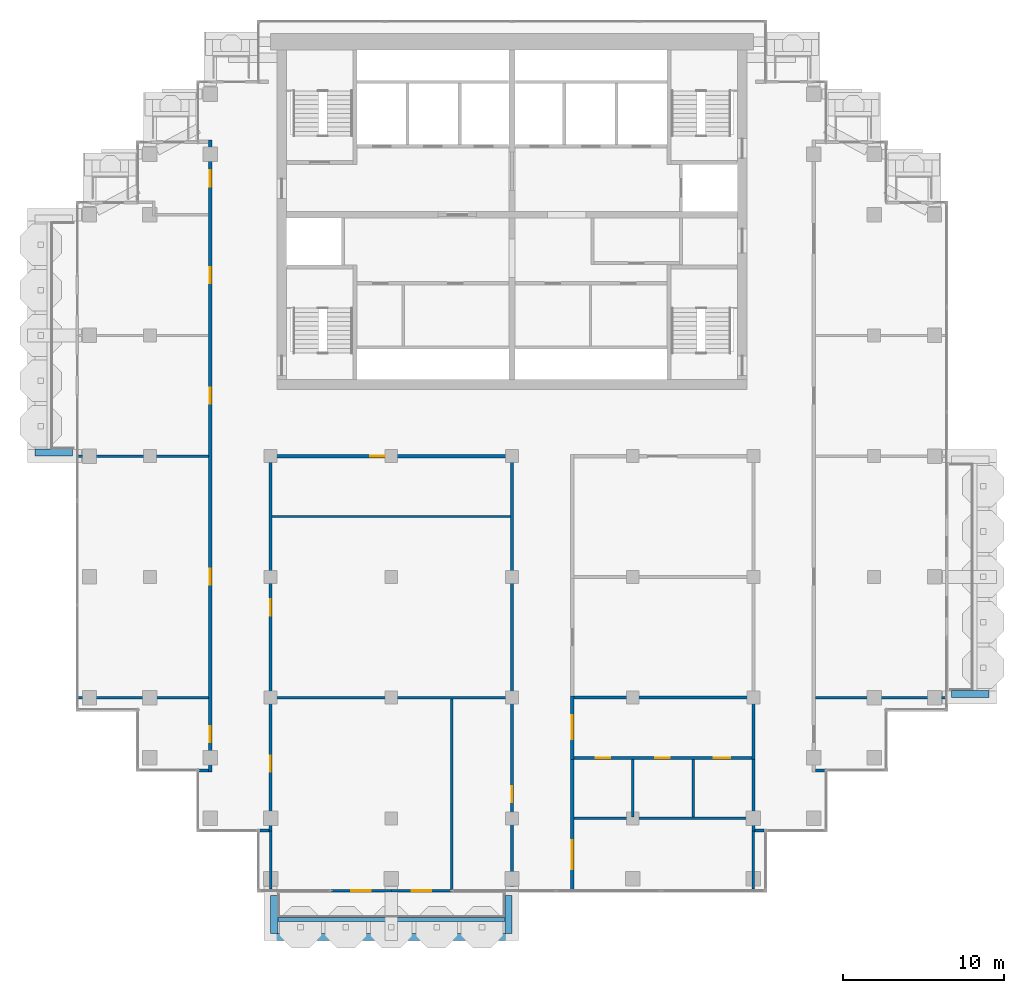
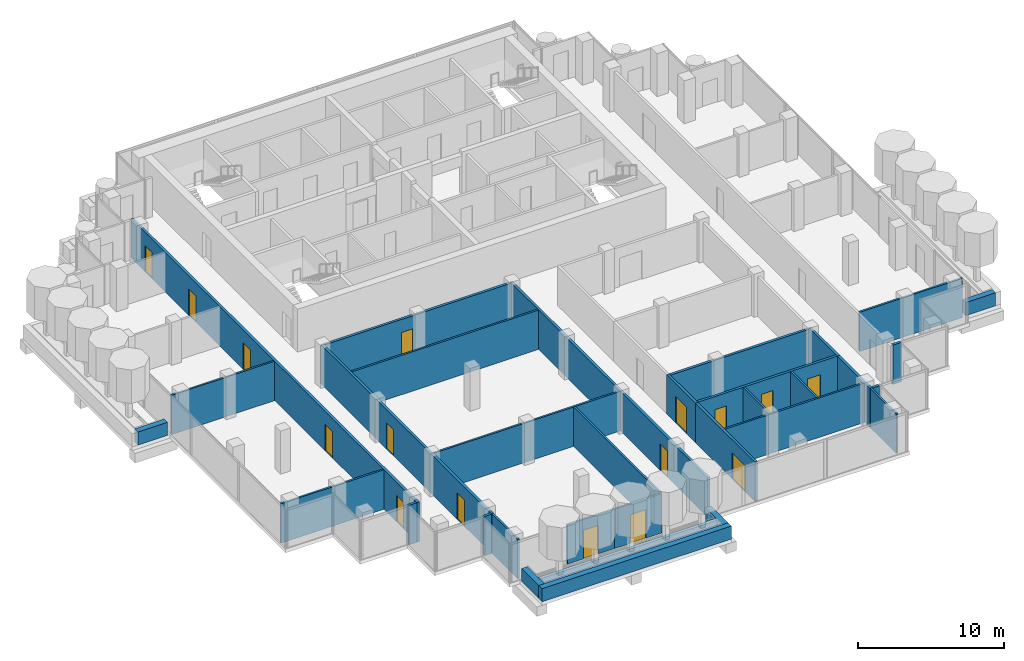
# One storey, part 11 of 18: 33 walls, 16 doors, 16 openings.
"""IFC4 building model written with IfcOpenShell, lengths in metres."""

import ifcopenshell
import ifcopenshell.guid

model = None  # the IFC model being written
_history = None  # IfcOwnerHistory: only IFC2X3 demands one
_inside = {}  # id of a spatial element -> (the spatial element, [elements in it])
_under = {}  # id of a project, library or spatial element -> (it, [spatial elements below it])
_declared = {}  # id of a project -> (the project, [libraries it declares])
_typed = {}  # id of a type object -> (the type object, [elements of that type])
_made_of = {}  # id of a material, layer set ... -> (it, [elements and type objects made of it])


def new_model(schema):
    """Start an empty IFC model of exactly this schema.

    Asked for "IFC4X3", IfcOpenShell would pick the latest addendum, in which some entities
    have other attributes; the version numbers below select the first issue.
    IFC2X3 requires an IfcOwnerHistory on every rooted entity: one is made here for all.
    """
    global model, _history
    if schema == "IFC4X3":
        model = ifcopenshell.file(schema_version=(4, 3, 0, 0))
    else:
        model = ifcopenshell.file(schema=schema)
    _inside.clear()
    _under.clear()
    _declared.clear()
    _typed.clear()
    _made_of.clear()
    _history = None
    if model.schema == "IFC2X3":
        org = make("IfcOrganization", Name="unknown")
        user = make(
            "IfcPersonAndOrganization",
            ThePerson=make("IfcPerson", FamilyName="unknown"),
            TheOrganization=org,
        )
        app = make(
            "IfcApplication",
            ApplicationDeveloper=org,
            Version="unknown",
            ApplicationFullName="unknown",
            ApplicationIdentifier="unknown",
        )
        _history = make(
            "IfcOwnerHistory",
            OwningUser=user,
            OwningApplication=app,
            ChangeAction="ADDED",
            CreationDate=0,
        )
    return model


def make(cls, **values):
    """One entity of the class cls with the attributes given. An attribute that is None is left unset."""
    return model.create_entity(
        cls, **{name: value for name, value in values.items() if value is not None}
    )


def rooted(cls, **values):
    """An entity with a GlobalId (a new one), such as an element, a storey or a relation."""
    return make(cls, GlobalId=ifcopenshell.guid.new(), OwnerHistory=_history, **values)


def si_unit(unit_type, name, prefix=None):
    """IfcSIUnit, for example si_unit("LENGTHUNIT", "METRE", prefix="MILLI")."""
    return make("IfcSIUnit", UnitType=unit_type, Prefix=prefix, Name=name)


def assignment(units):
    """IfcUnitAssignment: the units of a project."""
    return None if units is None else make("IfcUnitAssignment", Units=units)


def point(xyz):
    """IfcCartesianPoint."""
    return None if xyz is None else make("IfcCartesianPoint", Coordinates=xyz)


def direction(xyz):
    """IfcDirection."""
    return None if xyz is None else make("IfcDirection", DirectionRatios=xyz)


def frame(location, z_axis=None, x_axis=None):
    """IfcAxis2Placement3D, a coordinate frame: its origin and axes. An axis left out is left unset."""
    return make(
        "IfcAxis2Placement3D",
        Location=point(location),
        Axis=direction(z_axis),
        RefDirection=direction(x_axis),
    )


def frame_2d(location, x_axis=None):
    """IfcAxis2Placement2D, a coordinate frame in the plane: its origin and x axis."""
    return make(
        "IfcAxis2Placement2D", Location=point(location), RefDirection=direction(x_axis)
    )


def origin():
    """The frame at (0, 0, 0) with its axes left unset."""
    return frame((0.0, 0.0, 0.0))


def place(relative_to, where):
    """IfcLocalPlacement: puts the frame where relative to a parent placement (None: the world)."""
    return make(
        "IfcLocalPlacement", PlacementRelTo=relative_to, RelativePlacement=where
    )


def context(
    kind, dimensions, precision=None, world=None, true_north=None, identifier=None
):
    """IfcGeometricRepresentationContext, for example the 3D "Model" context."""
    return make(
        "IfcGeometricRepresentationContext",
        ContextIdentifier=identifier,
        ContextType=kind,
        CoordinateSpaceDimension=dimensions,
        Precision=precision,
        WorldCoordinateSystem=world,
        TrueNorth=true_north,
    )


def subcontext(parent, identifier, kind, view, scale=None):
    """IfcGeometricRepresentationSubContext, for example "Body" below "Model"."""
    return make(
        "IfcGeometricRepresentationSubContext",
        ContextIdentifier=identifier,
        ContextType=kind,
        ParentContext=parent,
        TargetScale=scale,
        TargetView=view,
    )


def project(units=None, contexts=None):
    """IfcProject with its units and contexts."""
    return rooted(
        "IfcProject",
        Name="project",
        RepresentationContexts=contexts,
        UnitsInContext=assignment(units),
    )


def spatial(cls, under=None, at=None, **own):
    """A site, building, storey or space (cls), placed at a placement, below another one or the project."""
    s = rooted(cls, ObjectPlacement=at, **own)
    if under is not None:
        _under.setdefault(under.id(), (under, []))[1].append(s)
    return s


def profile(cls, at=None, kind="AREA", **sizes):
    """A parametric profile (cls). Its sizes go by their IFC names, for example OverallWidth=200.0."""
    return make(cls, ProfileType=kind, Position=at, **sizes)


def rectangle(**sizes):
    """IfcRectangleProfileDef."""
    return profile("IfcRectangleProfileDef", **sizes)


def extrude(swept, where, along, depth):
    """IfcExtrudedAreaSolid: the profile swept, set in the frame where, extruded along a direction by depth."""
    return make(
        "IfcExtrudedAreaSolid",
        SweptArea=swept,
        Position=where,
        ExtrudedDirection=direction(along),
        Depth=depth,
    )


def shape(context_of_items, identifier, shape_type, items):
    """IfcShapeRepresentation: the items that make up one representation, for example the "Body"."""
    return make(
        "IfcShapeRepresentation",
        ContextOfItems=context_of_items,
        RepresentationIdentifier=identifier,
        RepresentationType=shape_type,
        Items=items,
    )


def material(Name=None, Category=None):
    """IfcMaterial."""
    return make("IfcMaterial", Name=Name, Category=Category)


def layer(
    of_material, thickness, ventilated=None, Name=None, Category=None, Priority=None
):
    """IfcMaterialLayer: one layer of a wall or slab, of a material (None: an air gap)."""
    return make(
        "IfcMaterialLayer",
        Material=of_material,
        LayerThickness=thickness,
        IsVentilated=ventilated,
        Name=Name,
        Category=Category,
        Priority=Priority,
    )


def layer_set(layers, Name=None):
    """IfcMaterialLayerSet."""
    return make("IfcMaterialLayerSet", MaterialLayers=layers, LayerSetName=Name)


def made_of(thing, what):
    """Note that an element or type object is made of a material, layer set ...; save() writes the relation."""
    if what is not None:
        _made_of.setdefault(what.id(), (what, []))[1].append(thing)
    return thing


def type_object(cls, material=None, **own):
    """A type object (cls), such as IfcWallType, which elements share."""
    return made_of(rooted(cls, **own), material)


def element(
    cls,
    number,
    at=None,
    inside=None,
    cuts=None,
    type_object=None,
    material=None,
    context=None,
    identifier="Body",
    shape_type=None,
    held_by="IfcProductDefinitionShape",
    body=None,
    shapes=None,
    **own,
):
    """One element of the class cls, such as IfcWall. Its Tag is "e" and its number.

    at: its placement. inside: the storey or other place that contains it. cuts: it is an
    opening in that element (IfcRelVoidsElement). A single representation is given by context,
    identifier, shape_type and body (its items); several are given by shapes. held_by: the class
    of the entity that holds the representations. save() writes the other relations.
    """
    e = rooted(cls, Tag="e%d" % number, ObjectPlacement=at, **own)
    if body is not None:
        shapes = [shape(context, identifier, shape_type, body)]
    if shapes is not None:
        e.Representation = make(held_by, Representations=shapes)
    if inside is not None:
        _inside.setdefault(inside.id(), (inside, []))[1].append(e)
    if cuts is not None:
        rooted(
            "IfcRelVoidsElement", RelatingBuildingElement=cuts, RelatedOpeningElement=e
        )
    if type_object is not None:
        _typed.setdefault(type_object.id(), (type_object, []))[1].append(e)
    return made_of(e, material)


def fill(opening, filler):
    """IfcRelFillsElement: the door or window that sits in an opening."""
    return rooted(
        "IfcRelFillsElement",
        RelatingOpeningElement=opening,
        RelatedBuildingElement=filler,
    )


def aggregate(whole, parts):
    """IfcRelAggregates: a whole, such as a stair, and the parts it consists of."""
    return rooted("IfcRelAggregates", RelatingObject=whole, RelatedObjects=parts)


def save(model, path):
    """Write the relations noted so far, then the file.

    IfcRelAggregates (storeys below a building ...), IfcRelContainedInSpatialStructure (elements
    in a storey), IfcRelDefinesByType, IfcRelAssociatesMaterial and IfcRelDeclares: one each for
    every whole, place, type object, material and project.
    """
    for whole, parts in _under.values():
        aggregate(whole, parts)
    for where, things in _inside.values():
        rooted(
            "IfcRelContainedInSpatialStructure",
            RelatedElements=things,
            RelatingStructure=where,
        )
    for kind, things in _typed.values():
        rooted("IfcRelDefinesByType", RelatedObjects=things, RelatingType=kind)
    for what, things in _made_of.values():
        rooted("IfcRelAssociatesMaterial", RelatedObjects=things, RelatingMaterial=what)
    for by, libraries in _declared.values():
        rooted("IfcRelDeclares", RelatingContext=by, RelatedDefinitions=libraries)
    model.write(path)


model = new_model("IFC4")

# Units and contexts
model_context = context("Model", 3, precision=1e-05, world=origin(), true_north=direction((0.0, 1.0)))
body_context = subcontext(model_context, "Body", "Model", "MODEL_VIEW")
ifc_project = project(units=[si_unit("LENGTHUNIT", "METRE"), si_unit("AREAUNIT", "SQUARE_METRE"), si_unit("VOLUMEUNIT", "CUBIC_METRE"), si_unit("PLANEANGLEUNIT", "RADIAN"), si_unit("MASSUNIT", "GRAM", prefix="KILO")], contexts=[model_context])

# Site, building, storey
site_placement = place(None, origin())
site = spatial("IfcSite", under=ifc_project, at=site_placement, CompositionType="ELEMENT")
building_placement = place(site_placement, origin())
building = spatial("IfcBuilding", under=site, at=building_placement, Name="Pilkhan Gate Tower", CompositionType="ELEMENT")
storey_placement = place(building_placement, frame((0.0, 0.0, 228.300048828125)))
storey = spatial("IfcBuildingStorey", under=building, at=storey_placement, Name="L59", CompositionType="ELEMENT", Elevation=228.300048828125)

# Walls
ifc_material_1 = material(Name="Concrete C40/50", Category="concrete")
ifc_layer_1 = layer(ifc_material_1, 0.25)
ifc_layer_set_1 = layer_set([ifc_layer_1], Name="Balcony planter BP250")
wall_type_1 = type_object("IfcWallType", Name="Balcony planter BP250", PredefinedType="USERDEFINED", material=ifc_layer_set_1)
wall_1_placement = place(storey_placement, frame((60.449951171875, 38.72509765625, 0.0), z_axis=(0.0, 0.0, 1.0), x_axis=(1.0, 0.0, 0.0)))
element("IfcWall", 1, at=wall_1_placement, inside=storey, type_object=wall_type_1, Name="Balcony planter L59 S", ObjectType="BALCONY PLANTER", PredefinedType="USERDEFINED", context=body_context, shape_type="SweptSolid", body=[
    extrude(rectangle(XDim=14.10009765625, YDim=0.25, at=frame_2d((7.050048828125, 0.0))), origin(), (0.0, 0.0, 1.0), 1.0),
])
ifc_material_2 = material(Name="Board-marked Concrete C40/50", Category="concrete")
ifc_layer_2 = layer(ifc_material_2, 0.449951171875)
ifc_layer_set_2 = layer_set([ifc_layer_2], Name="Balcony planter lip BL450")
wall_type_2 = type_object("IfcWallType", Name="Balcony planter lip BL450", PredefinedType="USERDEFINED", material=ifc_layer_set_2)
wall_2_placement = place(storey_placement, frame((60.0, 37.625, 0.0), z_axis=(0.0, 0.0, 1.0), x_axis=(1.0, 0.0, 0.0)))
element("IfcWall", 2, at=wall_2_placement, inside=storey, type_object=wall_type_2, Name="Balcony planter L59 S", ObjectType="BALCONY PLANTER", PredefinedType="USERDEFINED", context=body_context, shape_type="SweptSolid", body=[
    extrude(rectangle(XDim=15.0, YDim=0.449951171875, at=frame_2d((7.5, 0.0))), origin(), (0.0, 0.0, 1.0), 1.099853515625),
])
for number, where, z_axis, x_axis, name in (
    (3, (60.22509765625, 40.199951171875, 0.0), (0.0, 0.0, 1.0), (0.0, -1.0, 0.0), "Balcony planter L59 S"),
    (4, (74.77490234375, 40.199951171875, 0.0), (0.0, 0.0, 1.0), (0.0, -1.0, 0.0), "Balcony planter L59 S"),
    (5, (102.300048828125, 52.72509765625, 0.0), (0.0, 0.0, 1.0), (1.0, 0.0, 0.0), "Balcony planter L59 E"),
    (6, (47.699951171875, 67.72509765625, 0.0), (0.0, 0.0, 1.0), (-1.0, 0.0, 0.0), "Balcony planter L59 W"),
):
    element("IfcWall", number, at=place(storey_placement, frame(where, z_axis=z_axis, x_axis=x_axis)), inside=storey, type_object=wall_type_2, Name=name, ObjectType="BALCONY PLANTER", PredefinedType="USERDEFINED", context=body_context, shape_type="SweptSolid", body=[
        extrude(rectangle(XDim=2.349853515625, YDim=0.449951171875, at=frame_2d((1.1748046875, 0.0))), origin(), (0.0, 0.0, 1.0), 1.099853515625),
    ])
ifc_material_3 = material(Name="Dense blockwork", Category="masonry")
ifc_layer_3 = layer(ifc_material_3, 0.199951171875)
ifc_layer_set_3 = layer_set([ifc_layer_3], Name="Corridor wall FW200")
wall_type_3 = type_object("IfcWallType", Name="Corridor wall FW200", PredefinedType="PARTITIONING", material=ifc_layer_set_3)
for number, where, z_axis, x_axis, name in (
    (7, (59.35498046875, 44.235107421875, 0.0), (0.0, 0.0, 1.0), (1.0, 0.0, 0.0), "Partition L59"),
    (8, (90.10009765625, 44.235107421875, 0.0), (0.0, 0.0, 1.0), (1.0, 0.0, 0.0), "Partition L59"),
):
    element("IfcWall", number, at=place(storey_placement, frame(where, z_axis=z_axis, x_axis=x_axis)), inside=storey, type_object=wall_type_3, Name=name, PredefinedType="PARTITIONING", context=body_context, shape_type="SweptSolid", body=[
        extrude(rectangle(XDim=0.544921875, YDim=0.199951171875, at=frame_2d((0.2724609375, 0.0))), origin(), (0.0, 0.0, 1.0), 3.300048828125),
    ])
for number, where, z_axis, x_axis, name in (
    (9, (55.485107421875, 47.969970703125, 0.0), (0.0, 0.0, 1.0), (1.0, 0.0, 0.0), "Partition L59"),
    (10, (93.85009765625, 47.969970703125, 0.0), (0.0, 0.0, 1.0), (1.0, 0.0, 0.0), "Partition L59"),
):
    element("IfcWall", number, at=place(storey_placement, frame(where, z_axis=z_axis, x_axis=x_axis)), inside=storey, type_object=wall_type_3, Name=name, PredefinedType="PARTITIONING", context=body_context, shape_type="SweptSolid", body=[
        extrude(rectangle(XDim=0.664794921875, YDim=0.199951171875, at=frame_2d((0.33251953125, 0.0))), origin(), (0.0, 0.0, 1.0), 3.300048828125),
    ])

# Wall, opening, door
wall_3_placement = place(storey_placement, frame((60.10009765625, 67.5, 0.0), z_axis=(0.0, 0.0, 1.0), x_axis=(1.0, 0.0, 0.0)))
wall_3 = element("IfcWall", 11, at=wall_3_placement, inside=storey, type_object=wall_type_3, Name="Partition L59", PredefinedType="PARTITIONING", context=body_context, shape_type="SweptSolid", body=[
    extrude(rectangle(XDim=14.7998046875, YDim=0.199951171875, at=frame_2d((7.39990234375, 0.0))), origin(), (0.0, 0.0, 1.0), 3.300048828125),
])
opening_1_placement = place(wall_3_placement, frame((6.10009765625, 0.0, 0.0)))
opening_1 = element("IfcOpeningElement", 12, at=opening_1_placement, cuts=wall_3, Name="Opening L59-20", PredefinedType="OPENING", context=body_context, shape_type="SweptSolid", body=[
    extrude(rectangle(XDim=0.89990234375, YDim=2.199951171875, at=frame_2d((0.449951171875, 1.10009765625))), frame((0.0, 0.10986328125, 0.0), z_axis=(0.0, -1.0, 0.0), x_axis=(1.0, 0.0, 0.0)), (0.0, 0.0, 1.0), 0.219970703125),
])
ifc_material_4 = material(Name="Timber flush door, 60 minute fire resisting, self-closing", Category="wood")
door_type_1 = type_object("IfcDoorType", Name="Store door D05 900x2200", OperationType="SINGLE_SWING_LEFT", PredefinedType="DOOR", material=ifc_material_4)
door_1_placement = place(opening_1_placement, origin())
door_1 = element("IfcDoor", 13, at=door_1_placement, inside=storey, type_object=door_type_1, Name="Store door", OperationType="SINGLE_SWING_LEFT", OverallHeight=2.199951171875, OverallWidth=0.89990234375, PredefinedType="DOOR", context=body_context, shape_type="SweptSolid", body=[
    extrude(rectangle(XDim=0.89990234375, YDim=2.199951171875, at=frame_2d((0.449951171875, 1.10009765625))), frame((0.0, 0.02490234375, 0.0), z_axis=(0.0, -1.0, 0.0), x_axis=(1.0, 0.0, 0.0)), (0.0, 0.0, 1.0), 0.050048828125),
])
fill(opening_1, door_1)

# Wall, openings, doors
wall_4_placement = place(storey_placement, frame((56.25, 47.8701171875, 0.0), z_axis=(0.0, 0.0, 1.0), x_axis=(0.0, 1.0, 0.0)))
wall_4 = element("IfcWall", 14, at=wall_4_placement, inside=storey, type_object=wall_type_3, Name="Partition L59", PredefinedType="PARTITIONING", context=body_context, shape_type="SweptSolid", body=[
    extrude(rectangle(XDim=39.259765625, YDim=0.199951171875, at=frame_2d((19.6298828125, 0.0))), origin(), (0.0, 0.0, 1.0), 3.300048828125),
])
opening_2_placement = place(wall_4_placement, frame((1.85009765625, 0.0, 0.0)))
opening_2 = element("IfcOpeningElement", 15, at=opening_2_placement, cuts=wall_4, Name="Opening L59-24", PredefinedType="OPENING", context=body_context, shape_type="SweptSolid", body=[
    extrude(rectangle(XDim=1.0, YDim=2.199951171875, at=frame_2d((0.5, 1.10009765625))), frame((0.0, 0.10986328125, 0.0), z_axis=(0.0, -1.0, 0.0), x_axis=(1.0, 0.0, 0.0)), (0.0, 0.0, 1.0), 0.219970703125),
])
opening_3_placement = place(wall_4_placement, frame((11.6298828125, 0.0, 0.0)))
opening_3 = element("IfcOpeningElement", 16, at=opening_3_placement, cuts=wall_4, Name="Opening L59-25", PredefinedType="OPENING", context=body_context, shape_type="SweptSolid", body=[
    extrude(rectangle(XDim=1.0, YDim=2.199951171875, at=frame_2d((0.5, 1.10009765625))), frame((0.0, 0.10986328125, 0.0), z_axis=(0.0, -1.0, 0.0), x_axis=(1.0, 0.0, 0.0)), (0.0, 0.0, 1.0), 0.219970703125),
])
opening_4_placement = place(wall_4_placement, frame((22.8798828125, 0.0, 0.0)))
opening_4 = element("IfcOpeningElement", 17, at=opening_4_placement, cuts=wall_4, Name="Opening L59-26", PredefinedType="OPENING", context=body_context, shape_type="SweptSolid", body=[
    extrude(rectangle(XDim=1.0, YDim=2.199951171875, at=frame_2d((0.5, 1.10009765625))), frame((0.0, 0.10986328125, 0.0), z_axis=(0.0, -1.0, 0.0), x_axis=(1.0, 0.0, 0.0)), (0.0, 0.0, 1.0), 0.219970703125),
])
opening_5_placement = place(wall_4_placement, frame((30.3798828125, 0.0, 0.0)))
opening_5 = element("IfcOpeningElement", 18, at=opening_5_placement, cuts=wall_4, Name="Opening L59-30", PredefinedType="OPENING", context=body_context, shape_type="SweptSolid", body=[
    extrude(rectangle(XDim=1.0, YDim=2.199951171875, at=frame_2d((0.5, 1.10009765625))), frame((0.0, 0.10986328125, 0.0), z_axis=(0.0, -1.0, 0.0), x_axis=(1.0, 0.0, 0.0)), (0.0, 0.0, 1.0), 0.219970703125),
])
opening_6_placement = place(wall_4_placement, frame((36.3798828125, 0.0, 0.0)))
opening_6 = element("IfcOpeningElement", 19, at=opening_6_placement, cuts=wall_4, Name="Opening L59-31", PredefinedType="OPENING", context=body_context, shape_type="SweptSolid", body=[
    extrude(rectangle(XDim=1.0, YDim=2.199951171875, at=frame_2d((0.5, 1.10009765625))), frame((0.0, 0.10986328125, 0.0), z_axis=(0.0, -1.0, 0.0), x_axis=(1.0, 0.0, 0.0)), (0.0, 0.0, 1.0), 0.219970703125),
])
ifc_material_5 = material(Name="Timber flush door, 30 minute fire resisting", Category="wood")
door_type_2 = type_object("IfcDoorType", Name="Room door D03 1000x2200", OperationType="SINGLE_SWING_LEFT", PredefinedType="DOOR", material=ifc_material_5)
door_2_placement = place(opening_2_placement, origin())
door_2 = element("IfcDoor", 20, at=door_2_placement, inside=storey, type_object=door_type_2, Name="Room door", OperationType="SINGLE_SWING_RIGHT", OverallHeight=2.199951171875, OverallWidth=1.0, PredefinedType="DOOR", context=body_context, shape_type="SweptSolid", body=[
    extrude(rectangle(XDim=1.0, YDim=2.199951171875, at=frame_2d((0.5, 1.10009765625))), frame((0.0, 0.02490234375, 0.0), z_axis=(0.0, -1.0, 0.0), x_axis=(1.0, 0.0, 0.0)), (0.0, 0.0, 1.0), 0.050048828125),
])
fill(opening_2, door_2)
door_3_placement = place(opening_3_placement, origin())
door_3 = element("IfcDoor", 21, at=door_3_placement, inside=storey, type_object=door_type_2, Name="Room door", OperationType="SINGLE_SWING_RIGHT", OverallHeight=2.199951171875, OverallWidth=1.0, PredefinedType="DOOR", context=body_context, shape_type="SweptSolid", body=[
    extrude(rectangle(XDim=1.0, YDim=2.199951171875, at=frame_2d((0.5, 1.10009765625))), frame((0.0, 0.02490234375, 0.0), z_axis=(0.0, -1.0, 0.0), x_axis=(1.0, 0.0, 0.0)), (0.0, 0.0, 1.0), 0.050048828125),
])
fill(opening_3, door_3)
door_4_placement = place(opening_4_placement, origin())
door_4 = element("IfcDoor", 22, at=door_4_placement, inside=storey, type_object=door_type_2, Name="Room door", OperationType="SINGLE_SWING_LEFT", OverallHeight=2.199951171875, OverallWidth=1.0, PredefinedType="DOOR", context=body_context, shape_type="SweptSolid", body=[
    extrude(rectangle(XDim=1.0, YDim=2.199951171875, at=frame_2d((0.5, 1.10009765625))), frame((0.0, 0.02490234375, 0.0), z_axis=(0.0, -1.0, 0.0), x_axis=(1.0, 0.0, 0.0)), (0.0, 0.0, 1.0), 0.050048828125),
])
fill(opening_4, door_4)
door_5_placement = place(opening_5_placement, origin())
door_5 = element("IfcDoor", 23, at=door_5_placement, inside=storey, type_object=door_type_2, Name="Room door", OperationType="SINGLE_SWING_LEFT", OverallHeight=2.199951171875, OverallWidth=1.0, PredefinedType="DOOR", context=body_context, shape_type="SweptSolid", body=[
    extrude(rectangle(XDim=1.0, YDim=2.199951171875, at=frame_2d((0.5, 1.10009765625))), frame((0.0, 0.02490234375, 0.0), z_axis=(0.0, -1.0, 0.0), x_axis=(1.0, 0.0, 0.0)), (0.0, 0.0, 1.0), 0.050048828125),
])
fill(opening_5, door_5)
door_6_placement = place(opening_6_placement, origin())
door_6 = element("IfcDoor", 24, at=door_6_placement, inside=storey, type_object=door_type_2, Name="Room door", OperationType="SINGLE_SWING_RIGHT", OverallHeight=2.199951171875, OverallWidth=1.0, PredefinedType="DOOR", context=body_context, shape_type="SweptSolid", body=[
    extrude(rectangle(XDim=1.0, YDim=2.199951171875, at=frame_2d((0.5, 1.10009765625))), frame((0.0, 0.02490234375, 0.0), z_axis=(0.0, -1.0, 0.0), x_axis=(1.0, 0.0, 0.0)), (0.0, 0.0, 1.0), 0.050048828125),
])
fill(opening_6, door_6)

wall_5_placement = place(storey_placement, frame((60.0, 44.135009765625, 0.0), z_axis=(0.0, 0.0, 1.0), x_axis=(0.0, 1.0, 0.0)))
wall_5 = element("IfcWall", 25, at=wall_5_placement, inside=storey, type_object=wall_type_3, Name="Partition L59", PredefinedType="PARTITIONING", context=body_context, shape_type="SweptSolid", body=[
    extrude(rectangle(XDim=23.465087890625, YDim=0.199951171875, at=frame_2d((11.732421875, 0.0))), origin(), (0.0, 0.0, 1.0), 3.300048828125),
])
opening_7_placement = place(wall_5_placement, frame((3.75, 0.0, 0.0)))
opening_7 = element("IfcOpeningElement", 26, at=opening_7_placement, cuts=wall_5, Name="Opening L59-17", PredefinedType="OPENING", context=body_context, shape_type="SweptSolid", body=[
    extrude(rectangle(XDim=1.0, YDim=2.199951171875, at=frame_2d((0.5, 1.10009765625))), frame((0.0, 0.10986328125, 0.0), z_axis=(0.0, -1.0, 0.0), x_axis=(1.0, 0.0, 0.0)), (0.0, 0.0, 1.0), 0.219970703125),
])
opening_8_placement = place(wall_5_placement, frame((13.465087890625, 0.0, 0.0)))
opening_8 = element("IfcOpeningElement", 27, at=opening_8_placement, cuts=wall_5, Name="Opening L59-19", PredefinedType="OPENING", context=body_context, shape_type="SweptSolid", body=[
    extrude(rectangle(XDim=1.0, YDim=2.199951171875, at=frame_2d((0.5, 1.10009765625))), frame((0.0, 0.10986328125, 0.0), z_axis=(0.0, -1.0, 0.0), x_axis=(1.0, 0.0, 0.0)), (0.0, 0.0, 1.0), 0.219970703125),
])
door_7_placement = place(opening_7_placement, origin())
door_7 = element("IfcDoor", 28, at=door_7_placement, inside=storey, type_object=door_type_2, Name="Room door", OperationType="SINGLE_SWING_LEFT", OverallHeight=2.199951171875, OverallWidth=1.0, PredefinedType="DOOR", context=body_context, shape_type="SweptSolid", body=[
    extrude(rectangle(XDim=1.0, YDim=2.199951171875, at=frame_2d((0.5, 1.10009765625))), frame((0.0, 0.02490234375, 0.0), z_axis=(0.0, -1.0, 0.0), x_axis=(1.0, 0.0, 0.0)), (0.0, 0.0, 1.0), 0.050048828125),
])
fill(opening_7, door_7)
door_8_placement = place(opening_8_placement, origin())
door_8 = element("IfcDoor", 29, at=door_8_placement, inside=storey, type_object=door_type_2, Name="Room door", OperationType="SINGLE_SWING_LEFT", OverallHeight=2.199951171875, OverallWidth=1.0, PredefinedType="DOOR", context=body_context, shape_type="SweptSolid", body=[
    extrude(rectangle(XDim=1.0, YDim=2.199951171875, at=frame_2d((0.5, 1.10009765625))), frame((0.0, 0.02490234375, 0.0), z_axis=(0.0, -1.0, 0.0), x_axis=(1.0, 0.0, 0.0)), (0.0, 0.0, 1.0), 0.050048828125),
])
fill(opening_8, door_8)

# Wall, opening, door
wall_6_placement = place(storey_placement, frame((75.0, 40.485107421875, 0.0), z_axis=(0.0, 0.0, 1.0), x_axis=(0.0, 1.0, 0.0)))
wall_6 = element("IfcWall", 30, at=wall_6_placement, inside=storey, type_object=wall_type_3, Name="Partition L59", PredefinedType="PARTITIONING", context=body_context, shape_type="SweptSolid", body=[
    extrude(rectangle(XDim=27.114990234375, YDim=0.199951171875, at=frame_2d((13.5576171875, 0.0))), origin(), (0.0, 0.0, 1.0), 3.300048828125),
])
opening_9_placement = place(wall_6_placement, frame((5.5, 0.0, 0.0)))
opening_9 = element("IfcOpeningElement", 31, at=opening_9_placement, cuts=wall_6, Name="Opening L59-18", PredefinedType="OPENING", context=body_context, shape_type="SweptSolid", body=[
    extrude(rectangle(XDim=1.0, YDim=2.199951171875, at=frame_2d((0.5, 1.10009765625))), frame((0.0, 0.10986328125, 0.0), z_axis=(0.0, -1.0, 0.0), x_axis=(1.0, 0.0, 0.0)), (0.0, 0.0, 1.0), 0.219970703125),
])
door_9_placement = place(opening_9_placement, origin())
door_9 = element("IfcDoor", 32, at=door_9_placement, inside=storey, type_object=door_type_2, Name="Room door", OperationType="SINGLE_SWING_RIGHT", OverallHeight=2.199951171875, OverallWidth=1.0, PredefinedType="DOOR", context=body_context, shape_type="SweptSolid", body=[
    extrude(rectangle(XDim=1.0, YDim=2.199951171875, at=frame_2d((0.5, 1.10009765625))), frame((0.0, 0.02490234375, 0.0), z_axis=(0.0, -1.0, 0.0), x_axis=(1.0, 0.0, 0.0)), (0.0, 0.0, 1.0), 0.050048828125),
])
fill(opening_9, door_9)

wall_7_placement = place(storey_placement, frame((78.75, 40.485107421875, 0.0), z_axis=(0.0, 0.0, 1.0), x_axis=(0.0, 1.0, 0.0)))
wall_7 = element("IfcWall", 33, at=wall_7_placement, inside=storey, type_object=wall_type_3, Name="Partition L59", PredefinedType="PARTITIONING", context=body_context, shape_type="SweptSolid", body=[
    extrude(rectangle(XDim=8.264892578125, YDim=0.199951171875, at=frame_2d((4.13232421875, 0.0))), origin(), (0.0, 0.0, 1.0), 3.300048828125),
])
opening_10_placement = place(wall_7_placement, frame((1.35009765625, 0.0, 0.0)))
opening_10 = element("IfcOpeningElement", 34, at=opening_10_placement, cuts=wall_7, Name="Opening L59-21", PredefinedType="OPENING", context=body_context, shape_type="SweptSolid", body=[
    extrude(rectangle(XDim=1.800048828125, YDim=2.199951171875, at=frame_2d((0.89990234375, 1.10009765625))), frame((0.0, 0.10986328125, 0.0), z_axis=(0.0, -1.0, 0.0), x_axis=(1.0, 0.0, 0.0)), (0.0, 0.0, 1.0), 0.219970703125),
])
ifc_material_6 = material(Name="Timber glazed double door, 30 minute fire resisting", Category="wood")
door_type_3 = type_object("IfcDoorType", Name="Double door D04 1800x2200", OperationType="DOUBLE_DOOR_SINGLE_SWING", PredefinedType="DOOR", material=ifc_material_6)
door_10_placement = place(opening_10_placement, origin())
door_10 = element("IfcDoor", 35, at=door_10_placement, inside=storey, type_object=door_type_3, Name="Double door", OperationType="DOUBLE_DOOR_SINGLE_SWING", OverallHeight=2.199951171875, OverallWidth=1.800048828125, PredefinedType="DOOR", context=body_context, shape_type="SweptSolid", body=[
    extrude(rectangle(XDim=1.800048828125, YDim=2.199951171875, at=frame_2d((0.89990234375, 1.10009765625))), frame((0.0, 0.02490234375, 0.0), z_axis=(0.0, -1.0, 0.0), x_axis=(1.0, 0.0, 0.0)), (0.0, 0.0, 1.0), 0.050048828125),
])
fill(opening_10, door_10)

# Wall
wall_8_placement = place(storey_placement, frame((90.0, 44.135009765625, 0.0), z_axis=(0.0, 0.0, 1.0), x_axis=(0.0, 1.0, 0.0)))
element("IfcWall", 36, at=wall_8_placement, inside=storey, type_object=wall_type_3, Name="Partition L59", PredefinedType="PARTITIONING", context=body_context, shape_type="SweptSolid", body=[
    extrude(rectangle(XDim=4.614990234375, YDim=0.199951171875, at=frame_2d((2.3076171875, 0.0))), origin(), (0.0, 0.0, 1.0), 3.300048828125),
])

# Wall, opening, door
ifc_material_7 = material(Name="Pale anodised aluminium, clear laminated glazing", Category="aluminium")
ifc_layer_4 = layer(ifc_material_7, 0.14990234375)
ifc_layer_set_4 = layer_set([ifc_layer_4], Name="Facade infill wall IW150")
wall_type_4 = type_object("IfcWallType", Name="Facade infill wall IW150", PredefinedType="SOLIDWALL", material=ifc_layer_set_4)
wall_9_placement = place(storey_placement, frame((63.75, 40.5, 0.0), z_axis=(0.0, 0.0, 1.0), x_axis=(1.0, 0.0, 0.0)))
wall_9 = element("IfcWall", 37, at=wall_9_placement, inside=storey, type_object=wall_type_4, Name="Infill wall L59 S", PredefinedType="SOLIDWALL", context=body_context, shape_type="SweptSolid", body=[
    extrude(rectangle(XDim=3.75, YDim=0.14990234375, at=frame_2d((1.875, 0.0))), origin(), (0.0, 0.0, 1.0), 3.300048828125),
])
opening_11_placement = place(wall_9_placement, frame((1.27490234375, 0.0, 0.0)))
opening_11 = element("IfcOpeningElement", 38, at=opening_11_placement, cuts=wall_9, Name="Opening D1", PredefinedType="OPENING", context=body_context, shape_type="SweptSolid", body=[
    extrude(rectangle(XDim=1.199951171875, YDim=2.39990234375, at=frame_2d((0.60009765625, 1.199951171875))), frame((0.0, 0.0849609375, 0.0), z_axis=(0.0, -1.0, 0.0), x_axis=(1.0, 0.0, 0.0)), (0.0, 0.0, 1.0), 0.169921875),
])
ifc_material_8 = material(Name="Pale anodised aluminium, clear glazing", Category="aluminium")
door_type_4 = type_object("IfcDoorType", Name="Balcony door D1 1200x2400", OperationType="SINGLE_SWING_LEFT", PredefinedType="DOOR", material=ifc_material_8)
door_11_placement = place(opening_11_placement, origin())
door_11 = element("IfcDoor", 39, at=door_11_placement, inside=storey, type_object=door_type_4, Name="Balcony door L59", OperationType="SINGLE_SWING_LEFT", OverallHeight=2.39990234375, OverallWidth=1.199951171875, PredefinedType="DOOR", context=body_context, shape_type="SweptSolid", body=[
    extrude(rectangle(XDim=1.199951171875, YDim=2.39990234375, at=frame_2d((0.60009765625, 1.199951171875))), frame((0.0, 0.02490234375, 0.0), z_axis=(0.0, -1.0, 0.0), x_axis=(1.0, 0.0, 0.0)), (0.0, 0.0, 1.0), 0.050048828125),
])
fill(opening_11, door_11)

wall_10_placement = place(storey_placement, frame((67.5, 40.5, 0.0), z_axis=(0.0, 0.0, 1.0), x_axis=(1.0, 0.0, 0.0)))
wall_10 = element("IfcWall", 40, at=wall_10_placement, inside=storey, type_object=wall_type_4, Name="Infill wall L59 S", PredefinedType="SOLIDWALL", context=body_context, shape_type="SweptSolid", body=[
    extrude(rectangle(XDim=3.75, YDim=0.14990234375, at=frame_2d((1.875, 0.0))), origin(), (0.0, 0.0, 1.0), 3.300048828125),
])
opening_12_placement = place(wall_10_placement, frame((1.27490234375, 0.0, 0.0)))
opening_12 = element("IfcOpeningElement", 41, at=opening_12_placement, cuts=wall_10, Name="Opening D1", PredefinedType="OPENING", context=body_context, shape_type="SweptSolid", body=[
    extrude(rectangle(XDim=1.199951171875, YDim=2.39990234375, at=frame_2d((0.60009765625, 1.199951171875))), frame((0.0, 0.0849609375, 0.0), z_axis=(0.0, -1.0, 0.0), x_axis=(1.0, 0.0, 0.0)), (0.0, 0.0, 1.0), 0.169921875),
])
door_12_placement = place(opening_12_placement, origin())
door_12 = element("IfcDoor", 42, at=door_12_placement, inside=storey, type_object=door_type_4, Name="Balcony door L59", OperationType="SINGLE_SWING_LEFT", OverallHeight=2.39990234375, OverallWidth=1.199951171875, PredefinedType="DOOR", context=body_context, shape_type="SweptSolid", body=[
    extrude(rectangle(XDim=1.199951171875, YDim=2.39990234375, at=frame_2d((0.60009765625, 1.199951171875))), frame((0.0, 0.02490234375, 0.0), z_axis=(0.0, -1.0, 0.0), x_axis=(1.0, 0.0, 0.0)), (0.0, 0.0, 1.0), 0.050048828125),
])
fill(opening_12, door_12)

# Wall, openings, doors
ifc_layer_5 = layer(ifc_material_3, 0.199951171875)
ifc_layer_set_5 = layer_set([ifc_layer_5], Name="Lobby wall LW200")
wall_type_5 = type_object("IfcWallType", Name="Lobby wall LW200", PredefinedType="PARTITIONING", material=ifc_layer_set_5)
wall_11_placement = place(storey_placement, frame((78.85009765625, 48.75, 0.0), z_axis=(0.0, 0.0, 1.0), x_axis=(1.0, 0.0, 0.0)))
wall_11 = element("IfcWall", 43, at=wall_11_placement, inside=storey, type_object=wall_type_5, Name="Partition L59", PredefinedType="PARTITIONING", context=body_context, shape_type="SweptSolid", body=[
    extrude(rectangle(XDim=11.0498046875, YDim=0.199951171875, at=frame_2d((5.52490234375, 0.0))), origin(), (0.0, 0.0, 1.0), 3.300048828125),
])
opening_13_placement = place(wall_11_placement, frame((1.35009765625, 0.0, 0.0)))
opening_13 = element("IfcOpeningElement", 44, at=opening_13_placement, cuts=wall_11, Name="Opening L59-14", PredefinedType="OPENING", context=body_context, shape_type="SweptSolid", body=[
    extrude(rectangle(XDim=0.89990234375, YDim=2.199951171875, at=frame_2d((0.449951171875, 1.10009765625))), frame((0.0, 0.10986328125, 0.0), z_axis=(0.0, -1.0, 0.0), x_axis=(1.0, 0.0, 0.0)), (0.0, 0.0, 1.0), 0.219970703125),
])
opening_14_placement = place(wall_11_placement, frame((5.050048828125, 0.0, 0.0)))
opening_14 = element("IfcOpeningElement", 45, at=opening_14_placement, cuts=wall_11, Name="Opening L59-15", PredefinedType="OPENING", context=body_context, shape_type="SweptSolid", body=[
    extrude(rectangle(XDim=0.89990234375, YDim=2.199951171875, at=frame_2d((0.449951171875, 1.10009765625))), frame((0.0, 0.10986328125, 0.0), z_axis=(0.0, -1.0, 0.0), x_axis=(1.0, 0.0, 0.0)), (0.0, 0.0, 1.0), 0.219970703125),
])
opening_15_placement = place(wall_11_placement, frame((8.699951171875, 0.0, 0.0)))
opening_15 = element("IfcOpeningElement", 46, at=opening_15_placement, cuts=wall_11, Name="Opening L59-16", PredefinedType="OPENING", context=body_context, shape_type="SweptSolid", body=[
    extrude(rectangle(XDim=1.0, YDim=2.199951171875, at=frame_2d((0.5, 1.10009765625))), frame((0.0, 0.10986328125, 0.0), z_axis=(0.0, -1.0, 0.0), x_axis=(1.0, 0.0, 0.0)), (0.0, 0.0, 1.0), 0.219970703125),
])
ifc_material_9 = material(Name="Timber flush door, outward opening, 30 minute fire resisting", Category="wood")
door_type_5 = type_object("IfcDoorType", Name="Accessible toilet door D07 1000x2200", OperationType="SINGLE_SWING_LEFT", PredefinedType="DOOR", material=ifc_material_9)
door_13_placement = place(opening_15_placement, origin())
door_13 = element("IfcDoor", 47, at=door_13_placement, inside=storey, type_object=door_type_5, Name="Accessible toilet door", OperationType="SINGLE_SWING_LEFT", OverallHeight=2.199951171875, OverallWidth=1.0, PredefinedType="DOOR", context=body_context, shape_type="SweptSolid", body=[
    extrude(rectangle(XDim=1.0, YDim=2.199951171875, at=frame_2d((0.5, 1.10009765625))), frame((0.0, 0.02490234375, 0.0), z_axis=(0.0, -1.0, 0.0), x_axis=(1.0, 0.0, 0.0)), (0.0, 0.0, 1.0), 0.050048828125),
])
fill(opening_15, door_13)
door_type_6 = type_object("IfcDoorType", Name="Toilet door D06 900x2200", OperationType="SINGLE_SWING_LEFT", PredefinedType="DOOR", material=ifc_material_5)
door_14_placement = place(opening_13_placement, origin())
door_14 = element("IfcDoor", 48, at=door_14_placement, inside=storey, type_object=door_type_6, Name="Toilet door", OperationType="SINGLE_SWING_LEFT", OverallHeight=2.199951171875, OverallWidth=0.89990234375, PredefinedType="DOOR", context=body_context, shape_type="SweptSolid", body=[
    extrude(rectangle(XDim=0.89990234375, YDim=2.199951171875, at=frame_2d((0.449951171875, 1.10009765625))), frame((0.0, 0.02490234375, 0.0), z_axis=(0.0, -1.0, 0.0), x_axis=(1.0, 0.0, 0.0)), (0.0, 0.0, 1.0), 0.050048828125),
])
fill(opening_13, door_14)
door_15_placement = place(opening_14_placement, origin())
door_15 = element("IfcDoor", 49, at=door_15_placement, inside=storey, type_object=door_type_6, Name="Toilet door", OperationType="SINGLE_SWING_LEFT", OverallHeight=2.199951171875, OverallWidth=0.89990234375, PredefinedType="DOOR", context=body_context, shape_type="SweptSolid", body=[
    extrude(rectangle(XDim=0.89990234375, YDim=2.199951171875, at=frame_2d((0.449951171875, 1.10009765625))), frame((0.0, 0.02490234375, 0.0), z_axis=(0.0, -1.0, 0.0), x_axis=(1.0, 0.0, 0.0)), (0.0, 0.0, 1.0), 0.050048828125),
])
fill(opening_14, door_15)

# Wall
wall_12_placement = place(storey_placement, frame((78.85009765625, 52.5, 0.0), z_axis=(0.0, 0.0, 1.0), x_axis=(1.0, 0.0, 0.0)))
element("IfcWall", 50, at=wall_12_placement, inside=storey, type_object=wall_type_5, Name="Partition L59", PredefinedType="PARTITIONING", context=body_context, shape_type="SweptSolid", body=[
    extrude(rectangle(XDim=11.0498046875, YDim=0.199951171875, at=frame_2d((5.52490234375, 0.0))), origin(), (0.0, 0.0, 1.0), 3.300048828125),
])

# Wall, opening, door
wall_13_placement = place(storey_placement, frame((78.75, 48.64990234375, 0.0), z_axis=(0.0, 0.0, 1.0), x_axis=(0.0, 1.0, 0.0)))
wall_13 = element("IfcWall", 51, at=wall_13_placement, inside=storey, type_object=wall_type_5, Name="Partition L59", PredefinedType="PARTITIONING", context=body_context, shape_type="SweptSolid", body=[
    extrude(rectangle(XDim=3.9501953125, YDim=0.199951171875, at=frame_2d((1.97509765625, 0.0))), origin(), (0.0, 0.0, 1.0), 3.300048828125),
])
opening_16_placement = place(wall_13_placement, frame((1.25, 0.0, 0.0)))
opening_16 = element("IfcOpeningElement", 52, at=opening_16_placement, cuts=wall_13, Name="Opening L59-13", PredefinedType="OPENING", context=body_context, shape_type="SweptSolid", body=[
    extrude(rectangle(XDim=1.5, YDim=2.199951171875, at=frame_2d((0.75, 1.10009765625))), frame((0.0, 0.10986328125, 0.0), z_axis=(0.0, -1.0, 0.0), x_axis=(1.0, 0.0, 0.0)), (0.0, 0.0, 1.0), 0.219970703125),
])
ifc_material_10 = material(Name="Steel framed glazed door, 60 minute fire resisting", Category="steel")
door_type_7 = type_object("IfcDoorType", Name="Lobby door D09 1500x2200", OperationType="DOUBLE_DOOR_SINGLE_SWING", PredefinedType="DOOR", material=ifc_material_10)
door_16_placement = place(opening_16_placement, origin())
door_16 = element("IfcDoor", 53, at=door_16_placement, inside=storey, type_object=door_type_7, Name="Lobby door", OperationType="DOUBLE_DOOR_SINGLE_SWING", OverallHeight=2.199951171875, OverallWidth=1.5, PredefinedType="DOOR", context=body_context, shape_type="SweptSolid", body=[
    extrude(rectangle(XDim=1.5, YDim=2.199951171875, at=frame_2d((0.75, 1.10009765625))), frame((0.0, 0.02490234375, 0.0), z_axis=(0.0, -1.0, 0.0), x_axis=(1.0, 0.0, 0.0)), (0.0, 0.0, 1.0), 0.050048828125),
])
fill(opening_16, door_16)

# Walls
wall_14_placement = place(storey_placement, frame((90.0, 48.64990234375, 0.0), z_axis=(0.0, 0.0, 1.0), x_axis=(0.0, 1.0, 0.0)))
element("IfcWall", 54, at=wall_14_placement, inside=storey, type_object=wall_type_5, Name="Partition L59", PredefinedType="PARTITIONING", context=body_context, shape_type="SweptSolid", body=[
    extrude(rectangle(XDim=3.9501953125, YDim=0.199951171875, at=frame_2d((1.97509765625, 0.0))), origin(), (0.0, 0.0, 1.0), 3.300048828125),
])
ifc_material_11 = material(Name="Blockwork partition, plastered both sides", Category="masonry")
ifc_layer_6 = layer(ifc_material_11, 0.14990234375)
ifc_layer_set_6 = layer_set([ifc_layer_6], Name="Partition PW150")
wall_type_6 = type_object("IfcWallType", Name="Partition PW150", PredefinedType="PARTITIONING", material=ifc_layer_set_6)
wall_15_placement = place(storey_placement, frame((78.85009765625, 45.0, 0.0), z_axis=(0.0, 0.0, 1.0), x_axis=(1.0, 0.0, 0.0)))
element("IfcWall", 55, at=wall_15_placement, inside=storey, type_object=wall_type_6, Name="Partition L59", PredefinedType="PARTITIONING", context=body_context, shape_type="SweptSolid", body=[
    extrude(rectangle(XDim=11.0498046875, YDim=0.14990234375, at=frame_2d((5.52490234375, 0.0))), origin(), (0.0, 0.0, 1.0), 3.300048828125),
])
wall_16_placement = place(storey_placement, frame((47.985107421875, 52.5, 0.0), z_axis=(0.0, 0.0, 1.0), x_axis=(1.0, 0.0, 0.0)))
element("IfcWall", 56, at=wall_16_placement, inside=storey, type_object=wall_type_6, Name="Partition L59", PredefinedType="PARTITIONING", context=body_context, shape_type="SweptSolid", body=[
    extrude(rectangle(XDim=8.164794921875, YDim=0.14990234375, at=frame_2d((4.08251953125, 0.0))), origin(), (0.0, 0.0, 1.0), 3.300048828125),
])
wall_17_placement = place(storey_placement, frame((60.10009765625, 52.5, 0.0), z_axis=(0.0, 0.0, 1.0), x_axis=(1.0, 0.0, 0.0)))
element("IfcWall", 57, at=wall_17_placement, inside=storey, type_object=wall_type_6, Name="Partition L59", PredefinedType="PARTITIONING", context=body_context, shape_type="SweptSolid", body=[
    extrude(rectangle(XDim=14.7998046875, YDim=0.14990234375, at=frame_2d((7.39990234375, 0.0))), origin(), (0.0, 0.0, 1.0), 3.300048828125),
])
wall_18_placement = place(storey_placement, frame((93.85009765625, 52.5, 0.0), z_axis=(0.0, 0.0, 1.0), x_axis=(1.0, 0.0, 0.0)))
element("IfcWall", 58, at=wall_18_placement, inside=storey, type_object=wall_type_6, Name="Partition L59", PredefinedType="PARTITIONING", context=body_context, shape_type="SweptSolid", body=[
    extrude(rectangle(XDim=8.164794921875, YDim=0.14990234375, at=frame_2d((4.08251953125, 0.0))), origin(), (0.0, 0.0, 1.0), 3.300048828125),
])
wall_19_placement = place(storey_placement, frame((60.10009765625, 63.75, 0.0), z_axis=(0.0, 0.0, 1.0), x_axis=(1.0, 0.0, 0.0)))
element("IfcWall", 59, at=wall_19_placement, inside=storey, type_object=wall_type_6, Name="Partition L59", PredefinedType="PARTITIONING", context=body_context, shape_type="SweptSolid", body=[
    extrude(rectangle(XDim=14.7998046875, YDim=0.14990234375, at=frame_2d((7.39990234375, 0.0))), origin(), (0.0, 0.0, 1.0), 3.300048828125),
])
wall_20_placement = place(storey_placement, frame((47.985107421875, 67.5, 0.0), z_axis=(0.0, 0.0, 1.0), x_axis=(1.0, 0.0, 0.0)))
element("IfcWall", 60, at=wall_20_placement, inside=storey, type_object=wall_type_6, Name="Partition L59", PredefinedType="PARTITIONING", context=body_context, shape_type="SweptSolid", body=[
    extrude(rectangle(XDim=8.164794921875, YDim=0.14990234375, at=frame_2d((4.08251953125, 0.0))), origin(), (0.0, 0.0, 1.0), 3.300048828125),
])
wall_21_placement = place(storey_placement, frame((60.0, 40.60498046875, 0.0), z_axis=(0.0, 0.0, 1.0), x_axis=(0.0, 1.0, 0.0)))
element("IfcWall", 61, at=wall_21_placement, inside=storey, type_object=wall_type_6, Name="Partition L59", PredefinedType="PARTITIONING", context=body_context, shape_type="SweptSolid", body=[
    extrude(rectangle(XDim=3.60009765625, YDim=0.14990234375, at=frame_2d((1.800048828125, 0.0))), origin(), (0.0, 0.0, 1.0), 3.300048828125),
])
wall_22_placement = place(storey_placement, frame((71.25, 40.5849609375, 0.0), z_axis=(0.0, 0.0, 1.0), x_axis=(0.0, 1.0, 0.0)))
element("IfcWall", 62, at=wall_22_placement, inside=storey, type_object=wall_type_6, Name="Partition L59", PredefinedType="PARTITIONING", context=body_context, shape_type="SweptSolid", body=[
    extrude(rectangle(XDim=11.840087890625, YDim=0.14990234375, at=frame_2d((5.919921875, 0.0))), origin(), (0.0, 0.0, 1.0), 3.300048828125),
])
for number, where, z_axis, x_axis, name in (
    (63, (82.5, 45.074951171875, 0.0), (0.0, 0.0, 1.0), (0.0, 1.0, 0.0), "Partition L59"),
    (64, (86.25, 45.074951171875, 0.0), (0.0, 0.0, 1.0), (0.0, 1.0, 0.0), "Partition L59"),
):
    element("IfcWall", number, at=place(storey_placement, frame(where, z_axis=z_axis, x_axis=x_axis)), inside=storey, type_object=wall_type_6, Name=name, PredefinedType="PARTITIONING", context=body_context, shape_type="SweptSolid", body=[
        extrude(rectangle(XDim=3.574951171875, YDim=0.14990234375, at=frame_2d((1.78759765625, 0.0))), origin(), (0.0, 0.0, 1.0), 3.300048828125),
    ])
wall_23_placement = place(storey_placement, frame((90.0, 40.60498046875, 0.0), z_axis=(0.0, 0.0, 1.0), x_axis=(0.0, 1.0, 0.0)))
element("IfcWall", 65, at=wall_23_placement, inside=storey, type_object=wall_type_6, Name="Partition L59", PredefinedType="PARTITIONING", context=body_context, shape_type="SweptSolid", body=[
    extrude(rectangle(XDim=3.60009765625, YDim=0.14990234375, at=frame_2d((1.800048828125, 0.0))), origin(), (0.0, 0.0, 1.0), 3.300048828125),
])

save(model, "model.ifc")
